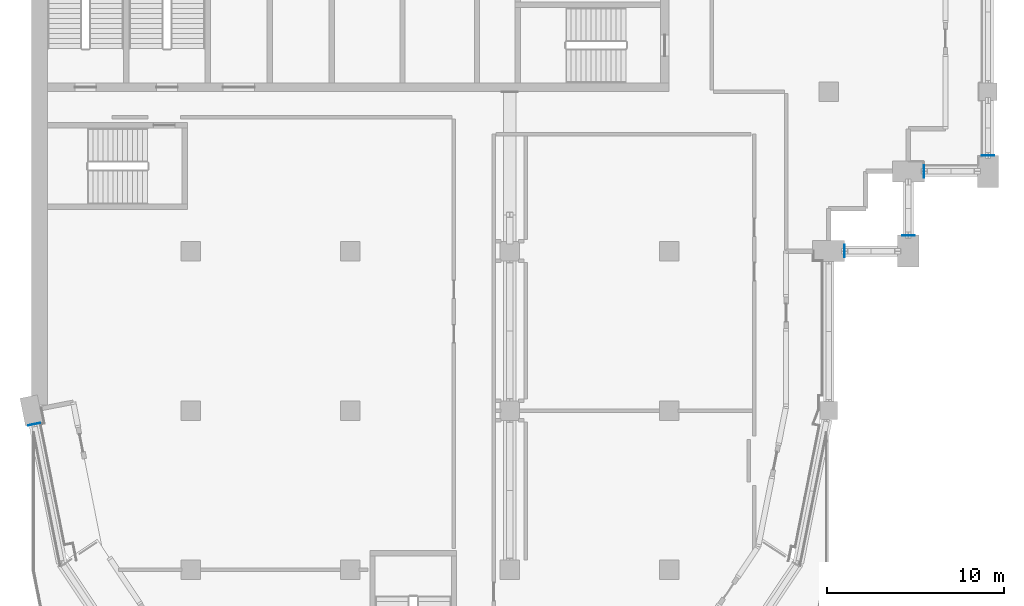
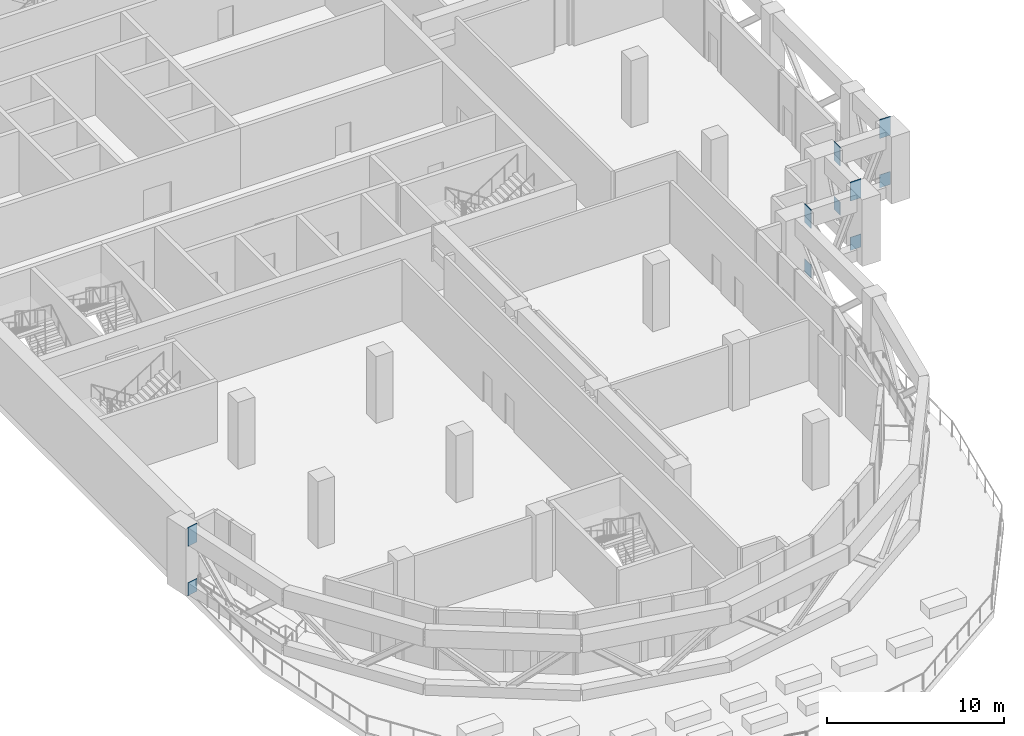
# One storey, part 12 of 16: 10 discrete accessories.
"""IFC4 building model written with IfcOpenShell, lengths in metres."""

from ifc_helpers import new_model, si_unit, direction, frame, origin, origin_2d, place, context, subcontext, project, spatial, rectangle, extrude, material, layer, layer_set, type_object, element, save


model = new_model("IFC4")

# Units and contexts
model_context = context("Model", 3, precision=1e-05, world=origin(), true_north=direction((0.0, 1.0)))
body_context = subcontext(model_context, "Body", "Model", "MODEL_VIEW")
ifc_project = project(units=[si_unit("LENGTHUNIT", "METRE"), si_unit("AREAUNIT", "SQUARE_METRE"), si_unit("VOLUMEUNIT", "CUBIC_METRE"), si_unit("PLANEANGLEUNIT", "RADIAN"), si_unit("MASSUNIT", "GRAM", prefix="KILO")], contexts=[model_context])

# Site, building, storey
site_placement = place(None, origin())
site = spatial("IfcSite", under=ifc_project, at=site_placement, CompositionType="ELEMENT")
building_placement = place(site_placement, origin())
building = spatial("IfcBuilding", under=site, at=building_placement, Name="Hunhe Ridgeline Campus", CompositionType="ELEMENT")
storey_placement = place(building_placement, frame((0.0, 0.0, 227.199951171875)))
storey = spatial("IfcBuildingStorey", under=building, at=storey_placement, Name="L58", CompositionType="ELEMENT", Elevation=227.199951171875)

# Discrete accessories
ifc_material = material(Name="Steel Q420", Category="steel")
ifc_layer_1 = layer(ifc_material, 0.030029296875)
ifc_layer_set_1 = layer_set([ifc_layer_1], Name="Gusset plate 700x1300x30 Steel Q420")
discrete_accessory_type_1 = type_object("IfcDiscreteAccessoryType", Name="Gusset plate 700x1300x30 Steel Q420", PredefinedType="BRACKET", material=ifc_layer_set_1)
for number, where, z_axis, x_axis, name in (
    (1, (0.153076171875, 44.22998046875, 3.35009765625), (0.0, 0.0, 1.0), (-0.195090322016, 0.980785280403, 0.0), "Gusset plate BT1 L58 1"),
    (2, (45.885009765625, 54.0, 3.35009765625), (0.0, 0.0, 1.0), (-1.0, 0.0, 0.0), "Gusset plate BT1 L58 3"),
    (3, (49.5, 54.885009765625, 3.35009765625), (0.0, 0.0, 1.0), (0.0, -1.0, 0.0), "Gusset plate BT1 L58 5"),
    (4, (50.385009765625, 58.5, 3.35009765625), (0.0, 0.0, 1.0), (-1.0, 0.0, 0.0), "Gusset plate BT1 L58 7"),
    (5, (54.0, 59.385009765625, 3.35009765625), (0.0, 0.0, 1.0), (0.0, -1.0, 0.0), "Gusset plate BT1 L58 9"),
):
    element("IfcDiscreteAccessory", number, at=place(storey_placement, frame(where, z_axis=z_axis, x_axis=x_axis)), inside=storey, type_object=discrete_accessory_type_1, Name=name, PredefinedType="BRACKET", context=body_context, shape_type="SweptSolid", body=[
        extrude(rectangle(XDim=0.030029296875, YDim=0.699951171875, at=origin_2d()), origin(), (0.0, 0.0, 1.0), 1.300048828125),
    ])
ifc_layer_2 = layer(ifc_material, 0.030029296875)
ifc_layer_set_2 = layer_set([ifc_layer_2], Name="Gusset plate 700x900x30 Steel Q420")
discrete_accessory_type_2 = type_object("IfcDiscreteAccessoryType", Name="Gusset plate 700x900x30 Steel Q420", PredefinedType="BRACKET", material=ifc_layer_set_2)
for number, where, z_axis, x_axis, name in (
    (6, (0.153076171875, 44.22998046875, -0.0498046875), (0.0, 0.0, 1.0), (-0.195090322016, 0.980785280403, 0.0), "Gusset plate BT1 L58 2"),
    (7, (45.885009765625, 54.0, -0.0498046875), (0.0, 0.0, 1.0), (-1.0, 0.0, 0.0), "Gusset plate BT1 L58 4"),
    (8, (49.5, 54.885009765625, -0.0498046875), (0.0, 0.0, 1.0), (0.0, -1.0, 0.0), "Gusset plate BT1 L58 6"),
    (9, (50.385009765625, 58.5, -0.0498046875), (0.0, 0.0, 1.0), (-1.0, 0.0, 0.0), "Gusset plate BT1 L58 8"),
    (10, (54.0, 59.385009765625, -0.0498046875), (0.0, 0.0, 1.0), (0.0, -1.0, 0.0), "Gusset plate BT1 L58 10"),
):
    element("IfcDiscreteAccessory", number, at=place(storey_placement, frame(where, z_axis=z_axis, x_axis=x_axis)), inside=storey, type_object=discrete_accessory_type_2, Name=name, PredefinedType="BRACKET", context=body_context, shape_type="SweptSolid", body=[
        extrude(rectangle(XDim=0.030029296875, YDim=0.699951171875, at=origin_2d()), origin(), (0.0, 0.0, 1.0), 0.89990234375),
    ])

save(model, "model.ifc")
